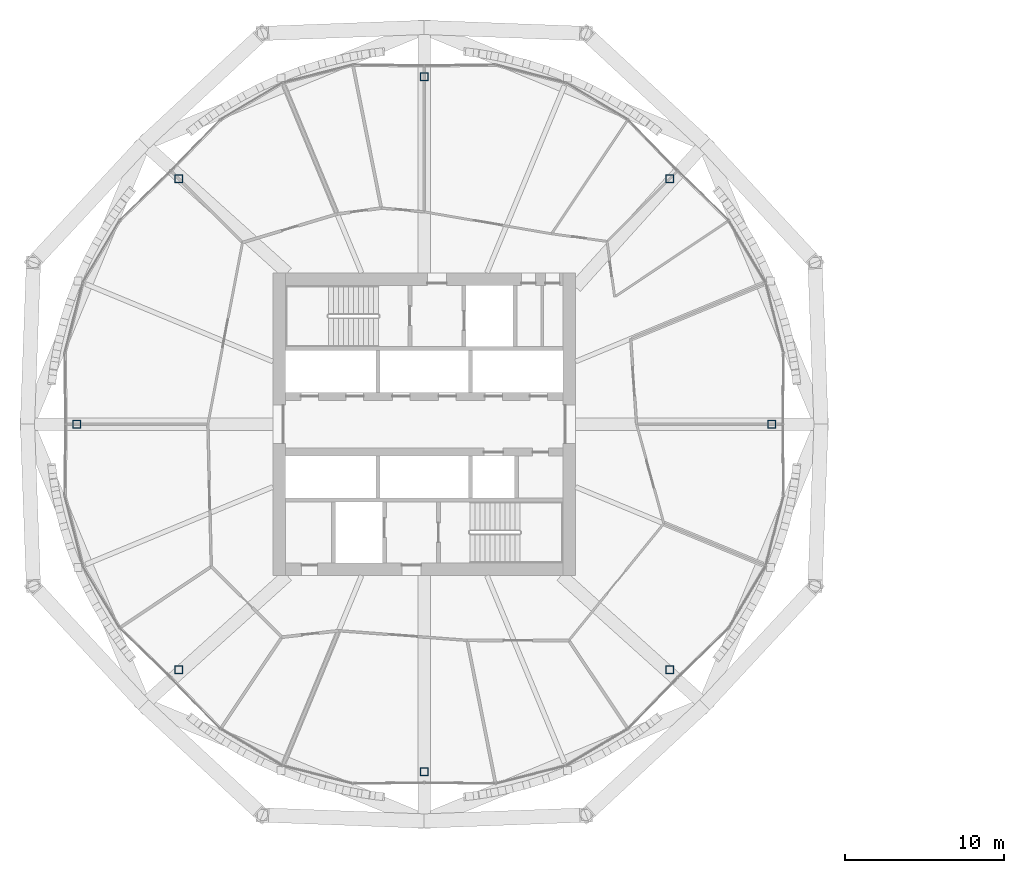
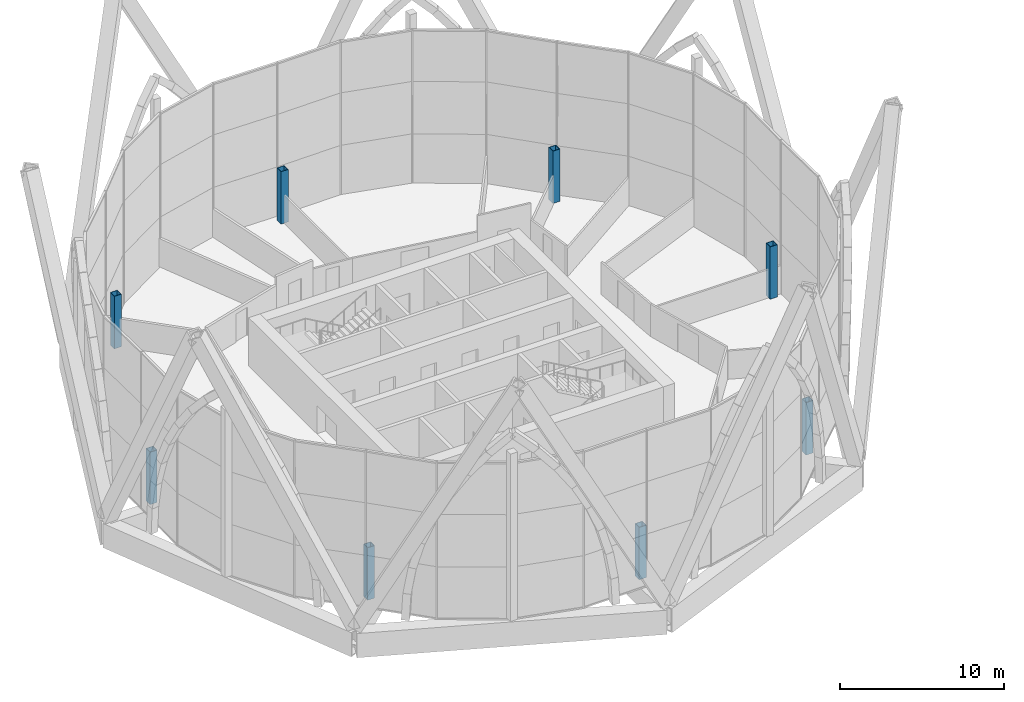
# One storey, part 1 of 37: 8 columns.
"""IFC4 building model written with IfcOpenShell, lengths in metres."""

from ifc_helpers import new_model, si_unit, direction, frame, origin, origin_2d, place, context, subcontext, project, spatial, hollow_rectangle, extrude, material, material_profile, profile_set, type_object, element, save


model = new_model("IFC4")

# Units and contexts
model_context = context("Model", 3, precision=1e-05, world=origin(), true_north=direction((0.0, 1.0)))
body_context = subcontext(model_context, "Body", "Model", "MODEL_VIEW")
ifc_project = project(units=[si_unit("LENGTHUNIT", "METRE"), si_unit("AREAUNIT", "SQUARE_METRE"), si_unit("VOLUMEUNIT", "CUBIC_METRE"), si_unit("PLANEANGLEUNIT", "RADIAN"), si_unit("MASSUNIT", "GRAM", prefix="KILO")], contexts=[model_context])

# Site, building, storey
site_placement = place(None, origin())
site = spatial("IfcSite", under=ifc_project, at=site_placement, CompositionType="ELEMENT")
building_placement = place(site_placement, origin())
building = spatial("IfcBuilding", under=site, at=building_placement, Name="Ogive Gate Towers", CompositionType="ELEMENT")
storey_placement = place(building_placement, frame((0.0, 0.0, 32.39990234375)))
storey = spatial("IfcBuildingStorey", under=building, at=storey_placement, Name="L06", CompositionType="ELEMENT", Elevation=32.39990234375)

# Columns
ifc_material = material(Name="Steel SM460", Category="steel")
ifc_material_profile = material_profile(ifc_material, hollow_rectangle(XDim=0.5, YDim=0.5, WallThickness=0.030029296875, at=origin_2d()), Name="BX 500x500x30")
ifc_profile_set = profile_set([ifc_material_profile], Name="Steel SM460")
column_type = type_object("IfcColumnType", Name="Perimeter post BX 500x500x30", PredefinedType="COLUMN", material=ifc_profile_set)
for number, where, z_axis, x_axis, name in (
    (1, (-14.18994140625, 0.0, 0.0), (0.0, 0.0, 1.0), (1.0, 0.0, 0.0), "T1/L06/SCL001"),
    (2, (-20.577880859375, 15.422119140625, 0.0), (0.0, 0.0, 1.0), (1.0, 0.0, 0.0), "T1/L06/SCL002"),
    (3, (-36.0, 21.81005859375, 0.0), (0.0, 0.0, 1.0), (1.0, 0.0, 0.0), "T1/L06/SCL003"),
    (4, (-51.422119140625, 15.422119140625, 0.0), (0.0, 0.0, 1.0), (1.0, 0.0, 0.0), "T1/L06/SCL004"),
    (5, (-57.81005859375, 0.0, 0.0), (0.0, 0.0, 1.0), (1.0, 0.0, 0.0), "T1/L06/SCL005"),
    (6, (-51.422119140625, -15.422119140625, 0.0), (0.0, 0.0, 1.0), (1.0, 0.0, 0.0), "T1/L06/SCL006"),
    (7, (-36.0, -21.81005859375, 0.0), (0.0, 0.0, 1.0), (1.0, 0.0, 0.0), "T1/L06/SCL007"),
    (8, (-20.577880859375, -15.422119140625, 0.0), (0.0, 0.0, 1.0), (1.0, 0.0, 0.0), "T1/L06/SCL008"),
):
    element("IfcColumn", number, at=place(storey_placement, frame(where, z_axis=z_axis, x_axis=x_axis)), inside=storey, type_object=column_type, Name=name, PredefinedType="COLUMN", context=body_context, shape_type="SweptSolid", body=[
        extrude(hollow_rectangle(XDim=0.5, YDim=0.5, WallThickness=0.030029296875, at=origin_2d()), origin(), (0.0, 0.0, 1.0), 3.900146484375),
    ])

save(model, "model.ifc")
